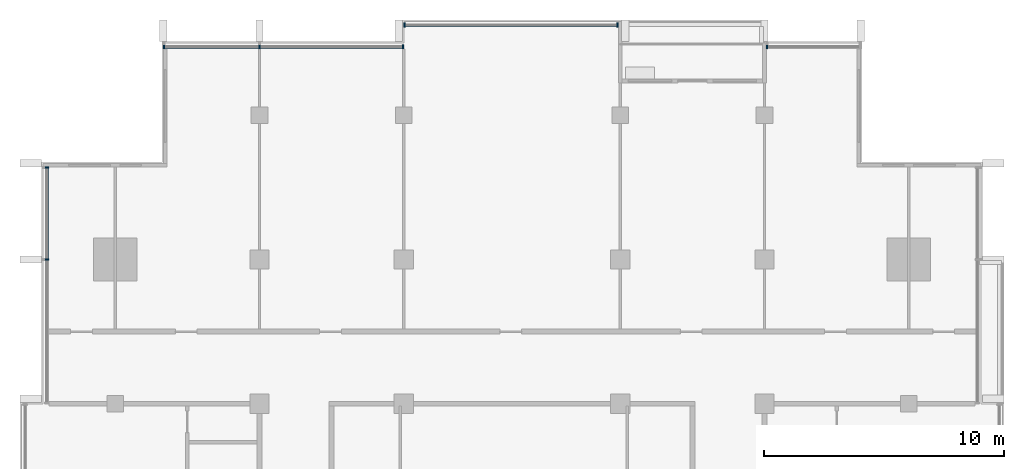
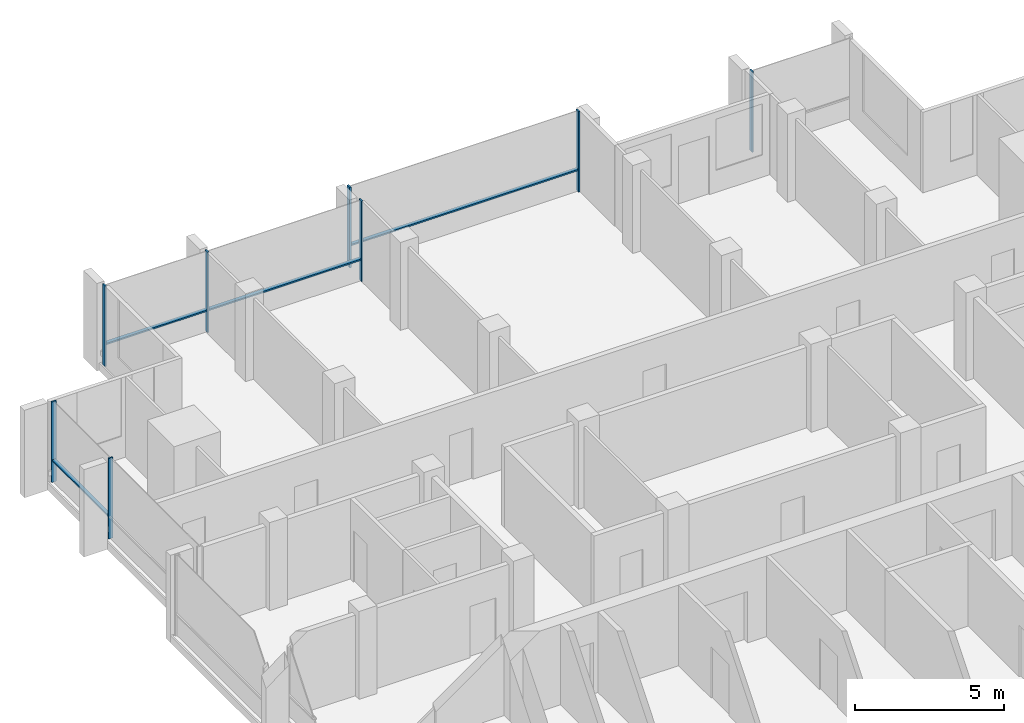
# One storey, part 4 of 15: 12 members, 4 elements without a shape of their own.
"""IFC4 building model written with IfcOpenShell, lengths in metres."""

from ifc_helpers import new_model, si_unit, direction, frame, origin, origin_2d, place, context, subcontext, project, spatial, rectangle, extrude, material, material_profile, profile_set, type_object, element, aggregate, save


model = new_model("IFC4")

# Units and contexts
model_context = context("Model", 3, precision=1e-05, world=origin(), true_north=direction((0.0, 1.0)))
body_context = subcontext(model_context, "Body", "Model", "MODEL_VIEW")
ifc_project = project(units=[si_unit("LENGTHUNIT", "METRE"), si_unit("AREAUNIT", "SQUARE_METRE"), si_unit("VOLUMEUNIT", "CUBIC_METRE"), si_unit("PLANEANGLEUNIT", "RADIAN"), si_unit("MASSUNIT", "GRAM", prefix="KILO")], contexts=[model_context])

# Site, building, storey
site_placement = place(None, origin())
site = spatial("IfcSite", under=ifc_project, at=site_placement, CompositionType="ELEMENT")
building_placement = place(site_placement, origin())
building = spatial("IfcBuilding", under=site, at=building_placement, Name="Finial Court Residences", CompositionType="ELEMENT")
storey_placement = place(building_placement, frame((0.0, 0.0, 273.5)))
storey = spatial("IfcBuildingStorey", under=building, at=storey_placement, Name="L69", CompositionType="ELEMENT", Elevation=273.5)

# Curtain wall, members
ifc_material = material(Name="Bronze anodised aluminium", Category="aluminium")
curtain_wall_type = type_object("IfcCurtainWallType", Name="Unitised curtain wall, upper zones", PredefinedType="NOTDEFINED", material=ifc_material)
curtain_wall_1_placement = place(storey_placement, origin())
curtain_wall_1 = element("IfcCurtainWall", 1, at=curtain_wall_1_placement, inside=storey, type_object=curtain_wall_type, Name="E-L69-CW-N1", PredefinedType="NOTDEFINED")
ifc_material_profile_1 = material_profile(ifc_material, rectangle(XDim=0.175048828125, YDim=0.06005859375, at=origin_2d()), Name="CW2 mullion 60 x 175")
ifc_profile_set_1 = profile_set([ifc_material_profile_1], Name="Bronze anodised aluminium")
member_type_1 = type_object("IfcMemberType", Name="CW2 mullion 60 x 175", PredefinedType="MULLION", material=ifc_profile_set_1)
member_1_placement = place(storey_placement, frame((-14.469970703125, 16.35009765625, 0.0), z_axis=(0.0, 0.0, 1.0), x_axis=(0.0, 1.0, 0.0)))
member_1 = element("IfcMember", 2, at=member_1_placement, type_object=member_type_1, Name="CW2 mullion 1", PredefinedType="MULLION", context=body_context, shape_type="SweptSolid", body=[
    extrude(rectangle(XDim=0.175048828125, YDim=0.06005859375, at=origin_2d()), origin(), (0.0, 0.0, 1.0), 3.300048828125),
])
member_2_placement = place(storey_placement, frame((-10.5, 16.35009765625, 0.0), z_axis=(0.0, 0.0, 1.0), x_axis=(0.0, 1.0, 0.0)))
member_2 = element("IfcMember", 3, at=member_2_placement, type_object=member_type_1, Name="CW2 mullion 2", PredefinedType="MULLION", context=body_context, shape_type="SweptSolid", body=[
    extrude(rectangle(XDim=0.175048828125, YDim=0.06005859375, at=origin_2d()), origin(), (0.0, 0.0, 1.0), 3.300048828125),
])
member_3_placement = place(storey_placement, frame((-4.530029296875, 16.35009765625, 0.0), z_axis=(0.0, 0.0, 1.0), x_axis=(0.0, 1.0, 0.0)))
member_3 = element("IfcMember", 4, at=member_3_placement, type_object=member_type_1, Name="CW2 mullion 3", PredefinedType="MULLION", context=body_context, shape_type="SweptSolid", body=[
    extrude(rectangle(XDim=0.175048828125, YDim=0.06005859375, at=origin_2d()), origin(), (0.0, 0.0, 1.0), 3.300048828125),
])

curtain_wall_2_placement = place(storey_placement, origin())
curtain_wall_2 = element("IfcCurtainWall", 5, at=curtain_wall_2_placement, inside=storey, type_object=curtain_wall_type, Name="E-L69-CW-N2", PredefinedType="NOTDEFINED")
member_4_placement = place(storey_placement, frame((-4.469970703125, 17.25, 0.0), z_axis=(0.0, 0.0, 1.0), x_axis=(0.0, 1.0, 0.0)))
member_4 = element("IfcMember", 6, at=member_4_placement, type_object=member_type_1, Name="CW2 mullion 1", PredefinedType="MULLION", context=body_context, shape_type="SweptSolid", body=[
    extrude(rectangle(XDim=0.175048828125, YDim=0.06005859375, at=origin_2d()), origin(), (0.0, 0.0, 1.0), 3.300048828125),
])
member_5_placement = place(storey_placement, frame((4.39501953125, 17.25, 0.0), z_axis=(0.0, 0.0, 1.0), x_axis=(0.0, 1.0, 0.0)))
member_5 = element("IfcMember", 7, at=member_5_placement, type_object=member_type_1, Name="CW2 mullion 2", PredefinedType="MULLION", context=body_context, shape_type="SweptSolid", body=[
    extrude(rectangle(XDim=0.175048828125, YDim=0.06005859375, at=origin_2d()), origin(), (0.0, 0.0, 1.0), 3.300048828125),
])

# Curtain wall, member
curtain_wall_3_placement = place(storey_placement, origin())
curtain_wall_3 = element("IfcCurtainWall", 8, at=curtain_wall_3_placement, inside=storey, type_object=curtain_wall_type, Name="E-L69-CW-N3", PredefinedType="NOTDEFINED")
member_6_placement = place(storey_placement, frame((10.60498046875, 16.35009765625, 0.0), z_axis=(0.0, 0.0, 1.0), x_axis=(0.0, 1.0, 0.0)))
member_6 = element("IfcMember", 9, at=member_6_placement, type_object=member_type_1, Name="CW2 mullion 1", PredefinedType="MULLION", context=body_context, shape_type="SweptSolid", body=[
    extrude(rectangle(XDim=0.175048828125, YDim=0.06005859375, at=origin_2d()), origin(), (0.0, 0.0, 1.0), 3.300048828125),
])
aggregate(curtain_wall_3, [member_6])

# Curtain wall, members
curtain_wall_4_placement = place(storey_placement, origin())
curtain_wall_4 = element("IfcCurtainWall", 10, at=curtain_wall_4_placement, inside=storey, type_object=curtain_wall_type, Name="E-L69-CW-W11", PredefinedType="NOTDEFINED")
member_7_placement = place(storey_placement, frame((-19.35009765625, 7.5, 0.0), z_axis=(0.0, 0.0, 1.0), x_axis=(-1.0, 0.0, 0.0)))
member_7 = element("IfcMember", 11, at=member_7_placement, type_object=member_type_1, Name="CW2 mullion 2", PredefinedType="MULLION", context=body_context, shape_type="SweptSolid", body=[
    extrude(rectangle(XDim=0.175048828125, YDim=0.06005859375, at=origin_2d()), origin(), (0.0, 0.0, 1.0), 3.300048828125),
])
member_8_placement = place(storey_placement, frame((-19.35009765625, 11.320068359375, 0.0), z_axis=(0.0, 0.0, 1.0), x_axis=(-1.0, 0.0, 0.0)))
member_8 = element("IfcMember", 12, at=member_8_placement, type_object=member_type_1, Name="CW2 mullion 3", PredefinedType="MULLION", context=body_context, shape_type="SweptSolid", body=[
    extrude(rectangle(XDim=0.175048828125, YDim=0.06005859375, at=origin_2d()), origin(), (0.0, 0.0, 1.0), 3.300048828125),
])

# Member
ifc_material_profile_2 = material_profile(ifc_material, rectangle(XDim=0.139892578125, YDim=0.06005859375, at=origin_2d()), Name="CW2 transom 60 x 140")
ifc_profile_set_2 = profile_set([ifc_material_profile_2], Name="Bronze anodised aluminium")
member_type_2 = type_object("IfcMemberType", Name="CW2 transom 60 x 140", PredefinedType="USERDEFINED", material=ifc_profile_set_2)
member_9_placement = place(storey_placement, frame((-14.43994140625, 16.35009765625, 0.89990234375), z_axis=(1.0, 0.0, 0.0), x_axis=(0.0, 1.0, 0.0)))
member_9 = element("IfcMember", 13, at=member_9_placement, type_object=member_type_2, Name="CW2 transom 1.1", ObjectType="TRANSOM", PredefinedType="USERDEFINED", context=body_context, shape_type="SweptSolid", body=[
    extrude(rectangle(XDim=0.139892578125, YDim=0.06005859375, at=origin_2d()), origin(), (0.0, 0.0, 1.0), 3.909912109375),
])

member_10_placement = place(storey_placement, frame((-10.469970703125, 16.35009765625, 0.89990234375), z_axis=(1.0, 0.0, 0.0), x_axis=(0.0, 1.0, 0.0)))
member_10 = element("IfcMember", 14, at=member_10_placement, type_object=member_type_2, Name="CW2 transom 2.1", ObjectType="TRANSOM", PredefinedType="USERDEFINED", context=body_context, shape_type="SweptSolid", body=[
    extrude(rectangle(XDim=0.139892578125, YDim=0.06005859375, at=origin_2d()), origin(), (0.0, 0.0, 1.0), 5.909912109375),
])

aggregate(curtain_wall_1, [member_1, member_2, member_3, member_9, member_10])

member_11_placement = place(storey_placement, frame((-4.43994140625, 17.25, 0.89990234375), z_axis=(1.0, 0.0, 0.0), x_axis=(0.0, 1.0, 0.0)))
member_11 = element("IfcMember", 15, at=member_11_placement, type_object=member_type_2, Name="CW2 transom 1.1", ObjectType="TRANSOM", PredefinedType="USERDEFINED", context=body_context, shape_type="SweptSolid", body=[
    extrude(rectangle(XDim=0.139892578125, YDim=0.06005859375, at=origin_2d()), origin(), (0.0, 0.0, 1.0), 8.804931640625),
])

aggregate(curtain_wall_2, [member_4, member_5, member_11])

member_12_placement = place(storey_placement, frame((-19.35009765625, 7.530029296875, 0.89990234375), z_axis=(0.0, 1.0, 0.0), x_axis=(-1.0, 0.0, 0.0)))
member_12 = element("IfcMember", 16, at=member_12_placement, type_object=member_type_2, Name="CW2 transom 2.1", ObjectType="TRANSOM", PredefinedType="USERDEFINED", context=body_context, shape_type="SweptSolid", body=[
    extrude(rectangle(XDim=0.139892578125, YDim=0.06005859375, at=origin_2d()), origin(), (0.0, 0.0, 1.0), 3.760009765625),
])

aggregate(curtain_wall_4, [member_7, member_8, member_12])

save(model, "model.ifc")
